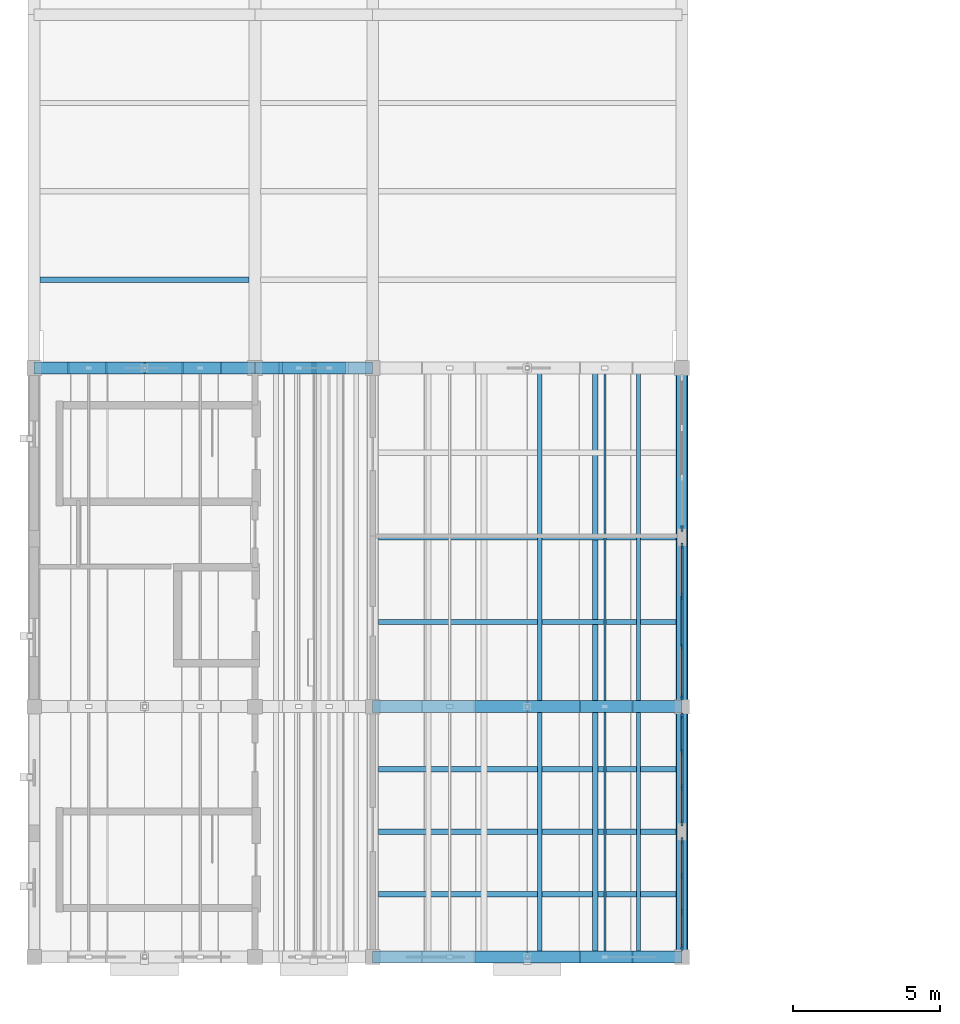
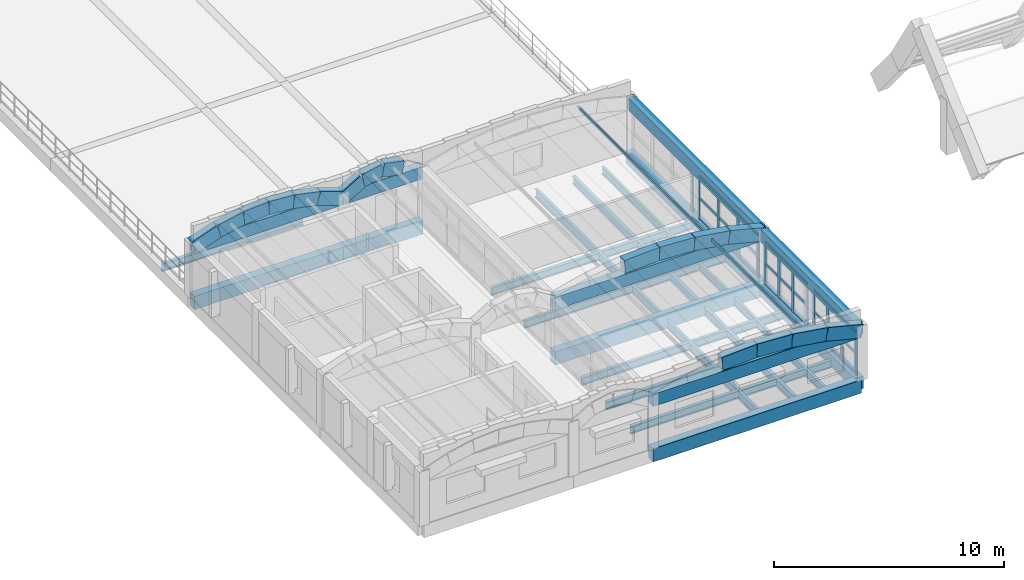
# One storey, part 4 of 40: 41 members, 24 beams, 4 elements without a shape of their own.
"""IFC4 building model written with IfcOpenShell, lengths in metres."""

from ifc_helpers import new_model, si_unit, direction, frame, origin, origin_2d, place, context, subcontext, project, spatial, rectangle, hollow_rectangle, i_section, extrude, material, layer, layer_set, material_profile, profile_set, type_object, element, aggregate, save


model = new_model("IFC4")

# Units and contexts
model_context = context("Model", 3, precision=1e-05, world=origin(), true_north=direction((0.0, 1.0)))
body_context = subcontext(model_context, "Body", "Model", "MODEL_VIEW")
ifc_project = project(units=[si_unit("LENGTHUNIT", "METRE"), si_unit("AREAUNIT", "SQUARE_METRE"), si_unit("VOLUMEUNIT", "CUBIC_METRE"), si_unit("PLANEANGLEUNIT", "RADIAN"), si_unit("MASSUNIT", "GRAM", prefix="KILO")], contexts=[model_context])

# Site, building, storey
site_placement = place(None, origin())
site = spatial("IfcSite", under=ifc_project, at=site_placement, CompositionType="ELEMENT")
building_placement = place(site_placement, origin())
building = spatial("IfcBuilding", under=site, at=building_placement, Name="Trellovar Central Fire Station", CompositionType="ELEMENT")
storey_placement = place(building_placement, frame((0.0, 0.0, 12.75)))
storey = spatial("IfcBuildingStorey", under=building, at=storey_placement, Name="L04", CompositionType="ELEMENT", Elevation=12.75)

# Beams
ifc_material_1 = material(Name="Concrete C40/50", Category="concrete")
ifc_material_profile_1 = material_profile(ifc_material_1, rectangle(XDim=0.39990234375, YDim=0.699951171875, at=origin_2d()), Name="RC400X700")
ifc_profile_set_1 = profile_set([ifc_material_profile_1], Name="Concrete C40/50")
beam_type_1 = type_object("IfcBeamType", Name="BM-G3", PredefinedType="BEAM", material=ifc_profile_set_1)
for number, where, z_axis, x_axis, name in (
    (1, (12.5, 9.0, -0.35009765625), (1.0, 0.0, 0.0), (0.0, 1.0, 0.0), "L04 beam G-3"),
    (2, (12.5, 17.5, -0.35009765625), (1.0, 0.0, 0.0), (0.0, 1.0, 0.0), "L04 beam G-3"),
):
    element("IfcBeam", number, at=place(storey_placement, frame(where, z_axis=z_axis, x_axis=x_axis)), inside=storey, type_object=beam_type_1, Name=name, PredefinedType="BEAM", context=body_context, shape_type="SweptSolid", body=[
        extrude(rectangle(XDim=0.39990234375, YDim=0.699951171875, at=origin_2d()), origin(), (0.0, 0.0, 1.0), 10.5),
    ])
beam_1_placement = place(storey_placement, frame((1.0, 29.0, -0.35009765625), z_axis=(1.0, 0.0, 0.0), x_axis=(0.0, 1.0, 0.0)))
element("IfcBeam", 3, at=beam_1_placement, inside=storey, type_object=beam_type_1, Name="L04 beam G-3", PredefinedType="BEAM", context=body_context, shape_type="SweptSolid", body=[
    extrude(rectangle(XDim=0.39990234375, YDim=0.699951171875, at=origin_2d()), origin(), (0.0, 0.0, 1.0), 7.5),
])
beam_2_placement = place(storey_placement, frame((8.5, 29.0, -0.35009765625), z_axis=(1.0, 0.0, 0.0), x_axis=(0.0, 1.0, 0.0)))
element("IfcBeam", 4, at=beam_2_placement, inside=storey, type_object=beam_type_1, Name="L04 beam G-3", PredefinedType="BEAM", context=body_context, shape_type="SweptSolid", body=[
    extrude(rectangle(XDim=0.39990234375, YDim=0.699951171875, at=origin_2d()), origin(), (0.0, 0.0, 1.0), 4.0),
])
ifc_material_2 = material(Name="Concrete C40/50", Category="concrete")
ifc_material_profile_2 = material_profile(ifc_material_2, rectangle(XDim=0.39990234375, YDim=0.64990234375, at=origin_2d()), Name="RC400X650")
ifc_profile_set_2 = profile_set([ifc_material_profile_2], Name="Concrete C40/50")
beam_type_2 = type_object("IfcBeamType", Name="BM-G4", PredefinedType="BEAM", material=ifc_profile_set_2)
beam_3_placement = place(storey_placement, frame((23.0, 9.0, -0.324951171875), z_axis=(0.0, 1.0, 0.0), x_axis=(-1.0, 0.0, 0.0)))
element("IfcBeam", 5, at=beam_3_placement, inside=storey, type_object=beam_type_2, Name="L04 beam G-4", PredefinedType="BEAM", context=body_context, shape_type="SweptSolid", body=[
    extrude(rectangle(XDim=0.39990234375, YDim=0.64990234375, at=origin_2d()), origin(), (0.0, 0.0, 1.0), 8.5),
])
beam_4_placement = place(storey_placement, frame((23.0, 17.5, -0.324951171875), z_axis=(0.0, 1.0, 0.0), x_axis=(-1.0, 0.0, 0.0)))
element("IfcBeam", 6, at=beam_4_placement, inside=storey, type_object=beam_type_2, Name="L04 beam G-4", PredefinedType="BEAM", context=body_context, shape_type="SweptSolid", body=[
    extrude(rectangle(XDim=0.39990234375, YDim=0.64990234375, at=origin_2d()), origin(), (0.0, 0.0, 1.0), 11.5),
])
for number, where, z_axis, x_axis, name in (
    (7, (12.5, 9.0, 2.574951171875), (1.0, 0.0, 0.0), (0.0, 1.0, 0.0), "L04 beam G-4"),
    (8, (12.5, 17.5, 2.574951171875), (1.0, 0.0, 0.0), (0.0, 1.0, 0.0), "L04 beam G-4"),
):
    element("IfcBeam", number, at=place(storey_placement, frame(where, z_axis=z_axis, x_axis=x_axis)), inside=storey, type_object=beam_type_2, Name=name, PredefinedType="BEAM", context=body_context, shape_type="SweptSolid", body=[
        extrude(rectangle(XDim=0.39990234375, YDim=0.64990234375, at=origin_2d()), origin(), (0.0, 0.0, 1.0), 10.5),
    ])
beam_5_placement = place(storey_placement, frame((1.0, 29.0, 2.574951171875), z_axis=(1.0, 0.0, 0.0), x_axis=(0.0, 1.0, 0.0)))
element("IfcBeam", 9, at=beam_5_placement, inside=storey, type_object=beam_type_2, Name="L04 beam G-4", PredefinedType="BEAM", context=body_context, shape_type="SweptSolid", body=[
    extrude(rectangle(XDim=0.39990234375, YDim=0.64990234375, at=origin_2d()), origin(), (0.0, 0.0, 1.0), 7.5),
])
beam_6_placement = place(storey_placement, frame((8.5, 29.0, 2.574951171875), z_axis=(1.0, 0.0, 0.0), x_axis=(0.0, 1.0, 0.0)))
element("IfcBeam", 10, at=beam_6_placement, inside=storey, type_object=beam_type_2, Name="L04 beam G-4", PredefinedType="BEAM", context=body_context, shape_type="SweptSolid", body=[
    extrude(rectangle(XDim=0.39990234375, YDim=0.64990234375, at=origin_2d()), origin(), (0.0, 0.0, 1.0), 4.0),
])
ifc_material_3 = material(Name="Concrete C40/50", Category="concrete")
ifc_material_profile_3 = material_profile(ifc_material_3, rectangle(XDim=0.35009765625, YDim=0.64990234375, at=origin_2d()), Name="RC350X650")
ifc_profile_set_3 = profile_set([ifc_material_profile_3], Name="Concrete C40/50")
beam_type_3 = type_object("IfcBeamType", Name="BM-G5", PredefinedType="BEAM", material=ifc_profile_set_3)
beam_7_placement = place(storey_placement, frame((23.0, 9.0, 2.574951171875), z_axis=(0.0, 1.0, 0.0), x_axis=(-1.0, 0.0, 0.0)))
element("IfcBeam", 11, at=beam_7_placement, inside=storey, type_object=beam_type_3, Name="L04 beam G-5", PredefinedType="BEAM", context=body_context, shape_type="SweptSolid", body=[
    extrude(rectangle(XDim=0.35009765625, YDim=0.64990234375, at=origin_2d()), origin(), (0.0, 0.0, 1.0), 8.5),
])
beam_8_placement = place(storey_placement, frame((23.0, 17.5, 2.574951171875), z_axis=(0.0, 1.0, 0.0), x_axis=(-1.0, 0.0, 0.0)))
element("IfcBeam", 12, at=beam_8_placement, inside=storey, type_object=beam_type_3, Name="L04 beam G-5", PredefinedType="BEAM", context=body_context, shape_type="SweptSolid", body=[
    extrude(rectangle(XDim=0.35009765625, YDim=0.64990234375, at=origin_2d()), origin(), (0.0, 0.0, 1.0), 11.5),
])
ifc_material_4 = material(Name="Steel ASTM A992 Grade 50", Category="steel")
ifc_material_profile_4 = material_profile(ifc_material_4, i_section(OverallWidth=0.15283203125, OverallDepth=0.45458984375, WebThickness=0.008056640625, FlangeThickness=0.01318359375, FilletRadius=0.0126953125, at=origin_2d()), Name="W18X40")
ifc_profile_set_4 = profile_set([ifc_material_profile_4], Name="Steel ASTM A992 Grade 50")
beam_type_4 = type_object("IfcBeamType", Name="BM-SW10", PredefinedType="JOIST", material=ifc_profile_set_4)
beam_9_placement = place(storey_placement, frame((18.169921875, 9.18994140625, -0.46728515625), z_axis=(0.0, 1.0, 0.0), x_axis=(-1.0, 0.0, 0.0)))
element("IfcBeam", 13, at=beam_9_placement, inside=storey, type_object=beam_type_4, Name="L04 secondary steel deck joist", PredefinedType="JOIST", context=body_context, shape_type="SweptSolid", body=[
    extrude(i_section(OverallWidth=0.15283203125, OverallDepth=0.45458984375, WebThickness=0.008056640625, FlangeThickness=0.01318359375, FilletRadius=0.0126953125, at=origin_2d()), origin(), (0.0, 0.0, 1.0), 8.1201171875),
])
beam_10_placement = place(storey_placement, frame((18.169921875, 17.68994140625, -0.46728515625), z_axis=(0.0, 1.0, 0.0), x_axis=(-1.0, 0.0, 0.0)))
element("IfcBeam", 14, at=beam_10_placement, inside=storey, type_object=beam_type_4, Name="L04 secondary steel deck joist", PredefinedType="JOIST", context=body_context, shape_type="SweptSolid", body=[
    extrude(i_section(OverallWidth=0.15283203125, OverallDepth=0.45458984375, WebThickness=0.008056640625, FlangeThickness=0.01318359375, FilletRadius=0.0126953125, at=origin_2d()), origin(), (0.0, 0.0, 1.0), 11.1201171875),
])
ifc_material_5 = material(Name="Steel ASTM A992 Grade 50", Category="steel")
ifc_material_profile_5 = material_profile(ifc_material_5, i_section(OverallWidth=0.177490234375, OverallDepth=0.40380859375, WebThickness=0.007568359375, FlangeThickness=0.010986328125, FilletRadius=0.011474609375, at=origin_2d()), Name="W16X36")
ifc_profile_set_5 = profile_set([ifc_material_profile_5], Name="Steel ASTM A992 Grade 50")
beam_type_5 = type_object("IfcBeamType", Name="BM-SW11", PredefinedType="JOIST", material=ifc_profile_set_5)
beam_11_placement = place(storey_placement, frame((1.195068359375, 32.0, -0.44189453125), z_axis=(1.0, 0.0, 0.0), x_axis=(0.0, 1.0, 0.0)))
element("IfcBeam", 15, at=beam_11_placement, inside=storey, type_object=beam_type_5, Name="L04 beam SB-11", PredefinedType="JOIST", context=body_context, shape_type="SweptSolid", body=[
    extrude(i_section(OverallWidth=0.177490234375, OverallDepth=0.40380859375, WebThickness=0.007568359375, FlangeThickness=0.010986328125, FilletRadius=0.011474609375, at=origin_2d()), origin(), (0.0, 0.0, 1.0), 7.10986328125),
])
for number, where, z_axis, x_axis, name in (
    (16, (12.695068359375, 11.125, -0.44189453125), (1.0, 0.0, 0.0), (0.0, 1.0, 0.0), "L04 beam SB-11"),
    (17, (12.695068359375, 13.25, -0.44189453125), (1.0, 0.0, 0.0), (0.0, 1.0, 0.0), "L04 beam SB-11"),
    (18, (12.695068359375, 15.375, -0.44189453125), (1.0, 0.0, 0.0), (0.0, 1.0, 0.0), "L04 beam SB-11"),
    (19, (12.695068359375, 20.375, -0.44189453125), (1.0, 0.0, 0.0), (0.0, 1.0, 0.0), "L04 beam SB-11"),
    (20, (12.695068359375, 23.25, -0.44189453125), (1.0, 0.0, 0.0), (0.0, 1.0, 0.0), "L04 beam SB-11"),
):
    element("IfcBeam", number, at=place(storey_placement, frame(where, z_axis=z_axis, x_axis=x_axis)), inside=storey, type_object=beam_type_5, Name=name, PredefinedType="JOIST", context=body_context, shape_type="SweptSolid", body=[
        extrude(i_section(OverallWidth=0.177490234375, OverallDepth=0.40380859375, WebThickness=0.007568359375, FlangeThickness=0.010986328125, FilletRadius=0.011474609375, at=origin_2d()), origin(), (0.0, 0.0, 1.0), 10.10986328125),
    ])
beam_12_placement = place(storey_placement, frame((20.06005859375, 9.18994140625, -0.44189453125), z_axis=(0.0, 1.0, 0.0), x_axis=(-1.0, 0.0, 0.0)))
element("IfcBeam", 21, at=beam_12_placement, inside=storey, type_object=beam_type_5, Name="L04 secondary steel deck joist", PredefinedType="JOIST", context=body_context, shape_type="SweptSolid", body=[
    extrude(i_section(OverallWidth=0.177490234375, OverallDepth=0.40380859375, WebThickness=0.007568359375, FlangeThickness=0.010986328125, FilletRadius=0.011474609375, at=origin_2d()), origin(), (0.0, 0.0, 1.0), 8.1201171875),
])
beam_13_placement = place(storey_placement, frame((20.06005859375, 17.68994140625, -0.44189453125), z_axis=(0.0, 1.0, 0.0), x_axis=(-1.0, 0.0, 0.0)))
element("IfcBeam", 22, at=beam_13_placement, inside=storey, type_object=beam_type_5, Name="L04 secondary steel deck joist", PredefinedType="JOIST", context=body_context, shape_type="SweptSolid", body=[
    extrude(i_section(OverallWidth=0.177490234375, OverallDepth=0.40380859375, WebThickness=0.007568359375, FlangeThickness=0.010986328125, FilletRadius=0.011474609375, at=origin_2d()), origin(), (0.0, 0.0, 1.0), 11.1201171875),
])
ifc_material_6 = material(Name="Steel ASTM A992 Grade 50", Category="steel")
ifc_material_profile_6 = material_profile(ifc_material_6, i_section(OverallWidth=0.140380859375, OverallDepth=0.4033203125, WebThickness=0.007080078125, FlangeThickness=0.01123046875, FilletRadius=0.011474609375, at=origin_2d()), Name="W16X31")
ifc_profile_set_6 = profile_set([ifc_material_profile_6], Name="Steel ASTM A992 Grade 50")
beam_type_6 = type_object("IfcBeamType", Name="BM-SW12", PredefinedType="JOIST", material=ifc_profile_set_6)
beam_14_placement = place(storey_placement, frame((21.530029296875, 9.18994140625, -0.441650390625), z_axis=(0.0, 1.0, 0.0), x_axis=(-1.0, 0.0, 0.0)))
element("IfcBeam", 23, at=beam_14_placement, inside=storey, type_object=beam_type_6, Name="L04 secondary steel deck joist", PredefinedType="JOIST", context=body_context, shape_type="SweptSolid", body=[
    extrude(i_section(OverallWidth=0.140380859375, OverallDepth=0.4033203125, WebThickness=0.007080078125, FlangeThickness=0.01123046875, FilletRadius=0.011474609375, at=origin_2d()), origin(), (0.0, 0.0, 1.0), 8.1201171875),
])
beam_15_placement = place(storey_placement, frame((21.530029296875, 17.68994140625, -0.441650390625), z_axis=(0.0, 1.0, 0.0), x_axis=(-1.0, 0.0, 0.0)))
element("IfcBeam", 24, at=beam_15_placement, inside=storey, type_object=beam_type_6, Name="L04 secondary steel deck joist", PredefinedType="JOIST", context=body_context, shape_type="SweptSolid", body=[
    extrude(i_section(OverallWidth=0.140380859375, OverallDepth=0.4033203125, WebThickness=0.007080078125, FlangeThickness=0.01123046875, FilletRadius=0.011474609375, at=origin_2d()), origin(), (0.0, 0.0, 1.0), 11.1201171875),
])

# Curtain wall, members
ifc_material_7 = material(Name="Thermally broken bronze anodized aluminum", Category="aluminium")
ifc_layer_1 = layer(ifc_material_7, 0.159912109375)
ifc_layer_set_1 = layer_set([ifc_layer_1], Name="Thermally broken bronze anodized aluminum")
curtain_wall_type_1 = type_object("IfcCurtainWallType", Name="CW-01", PredefinedType="NOTDEFINED", material=ifc_layer_set_1)
curtain_wall_1_placement = place(storey_placement, origin())
curtain_wall_1 = element("IfcCurtainWall", 25, at=curtain_wall_1_placement, inside=storey, type_object=curtain_wall_type_1, Name="L04 curtain wall CW-1", PredefinedType="NOTDEFINED")
ifc_material_8 = material(Name="Thermally broken bronze anodized aluminum", Category="aluminium")
ifc_material_profile_7 = material_profile(ifc_material_8, rectangle(XDim=0.074951171875, YDim=0.199951171875, at=origin_2d()), Name="ALU75X200")
ifc_profile_set_7 = profile_set([ifc_material_profile_7], Name="Thermally broken bronze anodized aluminum")
member_type_1 = type_object("IfcMemberType", Name="CWM-1", PredefinedType="MULLION", material=ifc_profile_set_7)
member_1_placement = place(storey_placement, frame((23.0, 9.324951171875, 0.0), z_axis=(0.0, 0.0, 1.0), x_axis=(1.0, 0.0, 0.0)))
member_1 = element("IfcMember", 26, at=member_1_placement, type_object=member_type_1, Name="CW3-L04-0053 mullion 1", PredefinedType="MULLION", context=body_context, shape_type="SweptSolid", body=[
    extrude(rectangle(XDim=0.074951171875, YDim=0.199951171875, at=origin_2d()), origin(), (0.0, 0.0, 1.0), 2.239990234375),
])
member_2_placement = place(storey_placement, frame((23.0, 10.533203125, 0.0), z_axis=(0.0, 0.0, 1.0), x_axis=(1.0, 0.0, 0.0)))
member_2 = element("IfcMember", 27, at=member_2_placement, type_object=member_type_1, Name="CW3-L04-0053 mullion 2", PredefinedType="MULLION", context=body_context, shape_type="SweptSolid", body=[
    extrude(rectangle(XDim=0.074951171875, YDim=0.199951171875, at=origin_2d()), origin(), (0.0, 0.0, 1.0), 2.239990234375),
])
member_3_placement = place(storey_placement, frame((23.0, 11.74169921875, 0.0), z_axis=(0.0, 0.0, 1.0), x_axis=(1.0, 0.0, 0.0)))
member_3 = element("IfcMember", 28, at=member_3_placement, type_object=member_type_1, Name="CW3-L04-0053 mullion 3", PredefinedType="MULLION", context=body_context, shape_type="SweptSolid", body=[
    extrude(rectangle(XDim=0.074951171875, YDim=0.199951171875, at=origin_2d()), origin(), (0.0, 0.0, 1.0), 2.239990234375),
])
member_4_placement = place(storey_placement, frame((23.0, 12.949951171875, 0.0), z_axis=(0.0, 0.0, 1.0), x_axis=(1.0, 0.0, 0.0)))
member_4 = element("IfcMember", 29, at=member_4_placement, type_object=member_type_1, Name="CW3-L04-0053 mullion 4", PredefinedType="MULLION", context=body_context, shape_type="SweptSolid", body=[
    extrude(rectangle(XDim=0.074951171875, YDim=0.199951171875, at=origin_2d()), origin(), (0.0, 0.0, 1.0), 2.239990234375),
])

curtain_wall_2_placement = place(storey_placement, origin())
curtain_wall_2 = element("IfcCurtainWall", 30, at=curtain_wall_2_placement, inside=storey, type_object=curtain_wall_type_1, Name="L04 curtain wall CW-1", PredefinedType="NOTDEFINED")
member_5_placement = place(storey_placement, frame((23.0, 13.550048828125, 0.0), z_axis=(0.0, 0.0, 1.0), x_axis=(1.0, 0.0, 0.0)))
member_5 = element("IfcMember", 31, at=member_5_placement, type_object=member_type_1, Name="CW3-L04-0054 mullion 1", PredefinedType="MULLION", context=body_context, shape_type="SweptSolid", body=[
    extrude(rectangle(XDim=0.074951171875, YDim=0.199951171875, at=origin_2d()), origin(), (0.0, 0.0, 1.0), 2.239990234375),
])
member_6_placement = place(storey_placement, frame((23.0, 14.75830078125, 0.0), z_axis=(0.0, 0.0, 1.0), x_axis=(1.0, 0.0, 0.0)))
member_6 = element("IfcMember", 32, at=member_6_placement, type_object=member_type_1, Name="CW3-L04-0054 mullion 2", PredefinedType="MULLION", context=body_context, shape_type="SweptSolid", body=[
    extrude(rectangle(XDim=0.074951171875, YDim=0.199951171875, at=origin_2d()), origin(), (0.0, 0.0, 1.0), 2.239990234375),
])
member_7_placement = place(storey_placement, frame((23.0, 15.966796875, 0.0), z_axis=(0.0, 0.0, 1.0), x_axis=(1.0, 0.0, 0.0)))
member_7 = element("IfcMember", 33, at=member_7_placement, type_object=member_type_1, Name="CW3-L04-0054 mullion 3", PredefinedType="MULLION", context=body_context, shape_type="SweptSolid", body=[
    extrude(rectangle(XDim=0.074951171875, YDim=0.199951171875, at=origin_2d()), origin(), (0.0, 0.0, 1.0), 2.239990234375),
])
member_8_placement = place(storey_placement, frame((23.0, 17.175048828125, 0.0), z_axis=(0.0, 0.0, 1.0), x_axis=(1.0, 0.0, 0.0)))
member_8 = element("IfcMember", 34, at=member_8_placement, type_object=member_type_1, Name="CW3-L04-0054 mullion 4", PredefinedType="MULLION", context=body_context, shape_type="SweptSolid", body=[
    extrude(rectangle(XDim=0.074951171875, YDim=0.199951171875, at=origin_2d()), origin(), (0.0, 0.0, 1.0), 2.239990234375),
])

ifc_material_9 = material(Name="Thermally broken bronze anodized aluminum", Category="aluminium")
ifc_layer_2 = layer(ifc_material_9, 0.159912109375)
ifc_layer_set_2 = layer_set([ifc_layer_2], Name="Thermally broken bronze anodized aluminum")
curtain_wall_type_2 = type_object("IfcCurtainWallType", Name="CW-02", PredefinedType="NOTDEFINED", material=ifc_layer_set_2)
curtain_wall_3_placement = place(storey_placement, origin())
curtain_wall_3 = element("IfcCurtainWall", 35, at=curtain_wall_3_placement, inside=storey, type_object=curtain_wall_type_2, Name="L04 curtain wall CW-2", PredefinedType="NOTDEFINED")
member_9_placement = place(storey_placement, frame((23.0, 17.824951171875, 0.0), z_axis=(0.0, 0.0, 1.0), x_axis=(1.0, 0.0, 0.0)))
member_9 = element("IfcMember", 36, at=member_9_placement, type_object=member_type_1, Name="CW3-L04-0055 mullion 1", PredefinedType="MULLION", context=body_context, shape_type="SweptSolid", body=[
    extrude(rectangle(XDim=0.074951171875, YDim=0.199951171875, at=origin_2d()), origin(), (0.0, 0.0, 1.0), 2.239990234375),
])
member_10_placement = place(storey_placement, frame((23.0, 19.533203125, 0.0), z_axis=(0.0, 0.0, 1.0), x_axis=(1.0, 0.0, 0.0)))
member_10 = element("IfcMember", 37, at=member_10_placement, type_object=member_type_1, Name="CW3-L04-0055 mullion 2", PredefinedType="MULLION", context=body_context, shape_type="SweptSolid", body=[
    extrude(rectangle(XDim=0.074951171875, YDim=0.199951171875, at=origin_2d()), origin(), (0.0, 0.0, 1.0), 2.239990234375),
])
member_11_placement = place(storey_placement, frame((23.0, 21.24169921875, 0.0), z_axis=(0.0, 0.0, 1.0), x_axis=(1.0, 0.0, 0.0)))
member_11 = element("IfcMember", 38, at=member_11_placement, type_object=member_type_1, Name="CW3-L04-0055 mullion 3", PredefinedType="MULLION", context=body_context, shape_type="SweptSolid", body=[
    extrude(rectangle(XDim=0.074951171875, YDim=0.199951171875, at=origin_2d()), origin(), (0.0, 0.0, 1.0), 2.239990234375),
])
member_12_placement = place(storey_placement, frame((23.0, 22.949951171875, 0.0), z_axis=(0.0, 0.0, 1.0), x_axis=(1.0, 0.0, 0.0)))
member_12 = element("IfcMember", 39, at=member_12_placement, type_object=member_type_1, Name="CW3-L04-0055 mullion 4", PredefinedType="MULLION", context=body_context, shape_type="SweptSolid", body=[
    extrude(rectangle(XDim=0.074951171875, YDim=0.199951171875, at=origin_2d()), origin(), (0.0, 0.0, 1.0), 2.239990234375),
])

# Curtain wall, member
curtain_wall_4_placement = place(storey_placement, origin())
curtain_wall_4 = element("IfcCurtainWall", 40, at=curtain_wall_4_placement, inside=storey, type_object=curtain_wall_type_2, Name="L04 curtain wall CW-2", PredefinedType="NOTDEFINED")
member_13_placement = place(storey_placement, frame((23.0, 23.550048828125, 0.0), z_axis=(0.0, 0.0, 1.0), x_axis=(1.0, 0.0, 0.0)))
member_13 = element("IfcMember", 41, at=member_13_placement, type_object=member_type_1, Name="CW3-L04-0056 mullion 1", PredefinedType="MULLION", context=body_context, shape_type="SweptSolid", body=[
    extrude(rectangle(XDim=0.074951171875, YDim=0.199951171875, at=origin_2d()), origin(), (0.0, 0.0, 1.0), 2.239990234375),
])
aggregate(curtain_wall_4, [member_13])

# Member
ifc_material_10 = material(Name="Thermally broken bronze anodized aluminum", Category="aluminium")
ifc_material_profile_8 = material_profile(ifc_material_10, rectangle(XDim=0.06005859375, YDim=0.139892578125, at=origin_2d()), Name="ALU60X140")
ifc_profile_set_8 = profile_set([ifc_material_profile_8], Name="Thermally broken bronze anodized aluminum")
member_type_2 = type_object("IfcMemberType", Name="CWT-1", PredefinedType="USERDEFINED", material=ifc_profile_set_8)
member_14_placement = place(storey_placement, frame((23.0, 9.324951171875, 0.0), z_axis=(0.0, 1.0, 0.0), x_axis=(-1.0, 0.0, 0.0)))
member_14 = element("IfcMember", 42, at=member_14_placement, type_object=member_type_2, Name="CW3-L04-0053 transom 1", ObjectType="TRANSOM", PredefinedType="USERDEFINED", context=body_context, shape_type="SweptSolid", body=[
    extrude(rectangle(XDim=0.06005859375, YDim=0.139892578125, at=origin_2d()), origin(), (0.0, 0.0, 1.0), 3.625),
])

member_15_placement = place(storey_placement, frame((23.0, 9.324951171875, 1.1201171875), z_axis=(0.0, 1.0, 0.0), x_axis=(-1.0, 0.0, 0.0)))
member_15 = element("IfcMember", 43, at=member_15_placement, type_object=member_type_2, Name="CW3-L04-0053 transom 2", ObjectType="TRANSOM", PredefinedType="USERDEFINED", context=body_context, shape_type="SweptSolid", body=[
    extrude(rectangle(XDim=0.06005859375, YDim=0.139892578125, at=origin_2d()), origin(), (0.0, 0.0, 1.0), 3.625),
])

member_16_placement = place(storey_placement, frame((23.0, 9.324951171875, 2.239990234375), z_axis=(0.0, 1.0, 0.0), x_axis=(-1.0, 0.0, 0.0)))
member_16 = element("IfcMember", 44, at=member_16_placement, type_object=member_type_2, Name="CW3-L04-0053 transom 3", ObjectType="TRANSOM", PredefinedType="USERDEFINED", context=body_context, shape_type="SweptSolid", body=[
    extrude(rectangle(XDim=0.06005859375, YDim=0.139892578125, at=origin_2d()), origin(), (0.0, 0.0, 1.0), 3.625),
])

aggregate(curtain_wall_1, [member_1, member_2, member_3, member_4, member_14, member_15, member_16])

member_17_placement = place(storey_placement, frame((23.0, 13.550048828125, 0.0), z_axis=(0.0, 1.0, 0.0), x_axis=(-1.0, 0.0, 0.0)))
member_17 = element("IfcMember", 45, at=member_17_placement, type_object=member_type_2, Name="CW3-L04-0054 transom 1", ObjectType="TRANSOM", PredefinedType="USERDEFINED", context=body_context, shape_type="SweptSolid", body=[
    extrude(rectangle(XDim=0.06005859375, YDim=0.139892578125, at=origin_2d()), origin(), (0.0, 0.0, 1.0), 3.625),
])

member_18_placement = place(storey_placement, frame((23.0, 13.550048828125, 1.1201171875), z_axis=(0.0, 1.0, 0.0), x_axis=(-1.0, 0.0, 0.0)))
member_18 = element("IfcMember", 46, at=member_18_placement, type_object=member_type_2, Name="CW3-L04-0054 transom 2", ObjectType="TRANSOM", PredefinedType="USERDEFINED", context=body_context, shape_type="SweptSolid", body=[
    extrude(rectangle(XDim=0.06005859375, YDim=0.139892578125, at=origin_2d()), origin(), (0.0, 0.0, 1.0), 3.625),
])

member_19_placement = place(storey_placement, frame((23.0, 13.550048828125, 2.239990234375), z_axis=(0.0, 1.0, 0.0), x_axis=(-1.0, 0.0, 0.0)))
member_19 = element("IfcMember", 47, at=member_19_placement, type_object=member_type_2, Name="CW3-L04-0054 transom 3", ObjectType="TRANSOM", PredefinedType="USERDEFINED", context=body_context, shape_type="SweptSolid", body=[
    extrude(rectangle(XDim=0.06005859375, YDim=0.139892578125, at=origin_2d()), origin(), (0.0, 0.0, 1.0), 3.625),
])

aggregate(curtain_wall_2, [member_5, member_6, member_7, member_8, member_17, member_18, member_19])

member_20_placement = place(storey_placement, frame((23.0, 17.824951171875, 0.0), z_axis=(0.0, 1.0, 0.0), x_axis=(-1.0, 0.0, 0.0)))
member_20 = element("IfcMember", 48, at=member_20_placement, type_object=member_type_2, Name="CW3-L04-0055 transom 1", ObjectType="TRANSOM", PredefinedType="USERDEFINED", context=body_context, shape_type="SweptSolid", body=[
    extrude(rectangle(XDim=0.06005859375, YDim=0.139892578125, at=origin_2d()), origin(), (0.0, 0.0, 1.0), 5.125),
])

member_21_placement = place(storey_placement, frame((23.0, 17.824951171875, 1.1201171875), z_axis=(0.0, 1.0, 0.0), x_axis=(-1.0, 0.0, 0.0)))
member_21 = element("IfcMember", 49, at=member_21_placement, type_object=member_type_2, Name="CW3-L04-0055 transom 2", ObjectType="TRANSOM", PredefinedType="USERDEFINED", context=body_context, shape_type="SweptSolid", body=[
    extrude(rectangle(XDim=0.06005859375, YDim=0.139892578125, at=origin_2d()), origin(), (0.0, 0.0, 1.0), 5.125),
])

member_22_placement = place(storey_placement, frame((23.0, 17.824951171875, 2.239990234375), z_axis=(0.0, 1.0, 0.0), x_axis=(-1.0, 0.0, 0.0)))
member_22 = element("IfcMember", 50, at=member_22_placement, type_object=member_type_2, Name="CW3-L04-0055 transom 3", ObjectType="TRANSOM", PredefinedType="USERDEFINED", context=body_context, shape_type="SweptSolid", body=[
    extrude(rectangle(XDim=0.06005859375, YDim=0.139892578125, at=origin_2d()), origin(), (0.0, 0.0, 1.0), 5.125),
])

aggregate(curtain_wall_3, [member_9, member_10, member_11, member_12, member_20, member_21, member_22])

# Members
ifc_material_11 = material(Name="Concrete C40/50", Category="concrete")
ifc_material_profile_9 = material_profile(ifc_material_11, rectangle(XDim=0.39990234375, YDim=0.699951171875, at=origin_2d()), Name="RC400X700")
ifc_profile_set_9 = profile_set([ifc_material_profile_9], Name="Concrete C40/50")
member_type_3 = type_object("IfcMemberType", Name="MEM-LR1", PredefinedType="CHORD", material=ifc_profile_set_9)
member_23_placement = place(storey_placement, frame((1.0, 29.0, 2.580078125), z_axis=(0.942240505119, 0.0, 0.334937054554), x_axis=(0.0, 1.0, 0.0)))
element("IfcMember", 51, at=member_23_placement, inside=storey, type_object=member_type_3, Name="V4 Catalan vault rib 1 chord 1", PredefinedType="CHORD", context=body_context, shape_type="SweptSolid", body=[
    extrude(rectangle(XDim=0.39990234375, YDim=0.699951171875, at=origin_2d()), origin(), (0.0, 0.0, 1.0), 1.32666015625),
])
member_24_placement = place(storey_placement, frame((2.25, 29.0, 3.0244140625), z_axis=(0.978003228886, 0.0, 0.208589751161), x_axis=(0.0, 1.0, 0.0)))
element("IfcMember", 52, at=member_24_placement, inside=storey, type_object=member_type_3, Name="V4 Catalan vault rib 1 chord 2", PredefinedType="CHORD", context=body_context, shape_type="SweptSolid", body=[
    extrude(rectangle(XDim=0.39990234375, YDim=0.699951171875, at=origin_2d()), origin(), (0.0, 0.0, 1.0), 1.278076171875),
])
for number, where, z_axis, x_axis, name in (
    (53, (3.5, 29.0, 3.291015625), (0.997482378995, 0.0, 0.070914762882), (0.0, 1.0, 0.0), "V4 Catalan vault rib 1 chord 3"),
    (54, (4.75, 29.0, 3.3798828125), (0.997482378995, 0.0, -0.070914762882), (0.0, 1.0, 0.0), "V4 Catalan vault rib 1 chord 4"),
):
    element("IfcMember", number, at=place(storey_placement, frame(where, z_axis=z_axis, x_axis=x_axis)), inside=storey, type_object=member_type_3, Name=name, PredefinedType="CHORD", context=body_context, shape_type="SweptSolid", body=[
        extrude(rectangle(XDim=0.39990234375, YDim=0.699951171875, at=origin_2d()), origin(), (0.0, 0.0, 1.0), 1.253173828125),
    ])
member_25_placement = place(storey_placement, frame((6.0, 29.0, 3.291015625), z_axis=(0.978003228886, 0.0, -0.208589751161), x_axis=(0.0, 1.0, 0.0)))
element("IfcMember", 55, at=member_25_placement, inside=storey, type_object=member_type_3, Name="V4 Catalan vault rib 1 chord 5", PredefinedType="CHORD", context=body_context, shape_type="SweptSolid", body=[
    extrude(rectangle(XDim=0.39990234375, YDim=0.699951171875, at=origin_2d()), origin(), (0.0, 0.0, 1.0), 1.278076171875),
])
member_26_placement = place(storey_placement, frame((7.25, 29.0, 3.0244140625), z_axis=(0.942240505119, 0.0, -0.334937054554), x_axis=(0.0, 1.0, 0.0)))
element("IfcMember", 56, at=member_26_placement, inside=storey, type_object=member_type_3, Name="V4 Catalan vault rib 1 chord 6", PredefinedType="CHORD", context=body_context, shape_type="SweptSolid", body=[
    extrude(rectangle(XDim=0.39990234375, YDim=0.699951171875, at=origin_2d()), origin(), (0.0, 0.0, 1.0), 1.32666015625),
])
member_27_placement = place(storey_placement, frame((8.5, 29.0, 2.580078125), z_axis=(0.857548340193, 0.0, 0.514403386683), x_axis=(0.0, 1.0, 0.0)))
element("IfcMember", 57, at=member_27_placement, inside=storey, type_object=member_type_3, Name="V4 Catalan vault rib 2 chord 1", PredefinedType="CHORD", context=body_context, shape_type="SweptSolid", body=[
    extrude(rectangle(XDim=0.39990234375, YDim=0.699951171875, at=origin_2d()), origin(), (0.0, 0.0, 1.0), 1.166015625),
])
for number, where, z_axis, x_axis, name in (
    (58, (9.5, 29.0, 3.179931640625), (0.980589882373, 0.0, 0.196070096109), (0.0, 1.0, 0.0), "V4 Catalan vault rib 2 chord 2"),
    (59, (10.5, 29.0, 3.3798828125), (0.980589882373, 0.0, -0.196070096109), (0.0, 1.0, 0.0), "V4 Catalan vault rib 2 chord 3"),
):
    element("IfcMember", number, at=place(storey_placement, frame(where, z_axis=z_axis, x_axis=x_axis)), inside=storey, type_object=member_type_3, Name=name, PredefinedType="CHORD", context=body_context, shape_type="SweptSolid", body=[
        extrude(rectangle(XDim=0.39990234375, YDim=0.699951171875, at=origin_2d()), origin(), (0.0, 0.0, 1.0), 1.019775390625),
    ])
for number, where, z_axis, x_axis, name in (
    (60, (16.0, 9.0, 3.291015625), (0.998713120681, 0.0, 0.05071590066), (0.0, 1.0, 0.0), "V4 Catalan vault rib 3 chord 3"),
    (61, (17.75, 9.0, 3.3798828125), (0.998713120681, 0.0, -0.05071590066), (0.0, 1.0, 0.0), "V4 Catalan vault rib 3 chord 4"),
):
    element("IfcMember", number, at=place(storey_placement, frame(where, z_axis=z_axis, x_axis=x_axis)), inside=storey, type_object=member_type_3, Name=name, PredefinedType="CHORD", context=body_context, shape_type="SweptSolid", body=[
        extrude(rectangle(XDim=0.39990234375, YDim=0.699951171875, at=origin_2d()), origin(), (0.0, 0.0, 1.0), 1.752197265625),
    ])
member_28_placement = place(storey_placement, frame((19.5, 9.0, 3.291015625), z_axis=(0.988593852022, 0.0, -0.150606094644), x_axis=(0.0, 1.0, 0.0)))
element("IfcMember", 62, at=member_28_placement, inside=storey, type_object=member_type_3, Name="V4 Catalan vault rib 3 chord 5", PredefinedType="CHORD", context=body_context, shape_type="SweptSolid", body=[
    extrude(rectangle(XDim=0.39990234375, YDim=0.699951171875, at=origin_2d()), origin(), (0.0, 0.0, 1.0), 1.770263671875),
])
member_29_placement = place(storey_placement, frame((21.25, 9.0, 3.0244140625), z_axis=(0.969245105532, 0.0, -0.246097390076), x_axis=(0.0, 1.0, 0.0)))
element("IfcMember", 63, at=member_29_placement, inside=storey, type_object=member_type_3, Name="V4 Catalan vault rib 3 chord 6", PredefinedType="CHORD", context=body_context, shape_type="SweptSolid", body=[
    extrude(rectangle(XDim=0.39990234375, YDim=0.699951171875, at=origin_2d()), origin(), (0.0, 0.0, 1.0), 1.805419921875),
])
for number, where, z_axis, x_axis, name in (
    (64, (16.0, 17.5, 3.291015625), (0.998713120681, 0.0, 0.05071590066), (0.0, 1.0, 0.0), "V4 Catalan vault rib 3 chord 3"),
    (65, (17.75, 17.5, 3.3798828125), (0.998713120681, 0.0, -0.05071590066), (0.0, 1.0, 0.0), "V4 Catalan vault rib 3 chord 4"),
):
    element("IfcMember", number, at=place(storey_placement, frame(where, z_axis=z_axis, x_axis=x_axis)), inside=storey, type_object=member_type_3, Name=name, PredefinedType="CHORD", context=body_context, shape_type="SweptSolid", body=[
        extrude(rectangle(XDim=0.39990234375, YDim=0.699951171875, at=origin_2d()), origin(), (0.0, 0.0, 1.0), 1.752197265625),
    ])
member_30_placement = place(storey_placement, frame((19.5, 17.5, 3.291015625), z_axis=(0.988593852022, 0.0, -0.150606094644), x_axis=(0.0, 1.0, 0.0)))
element("IfcMember", 66, at=member_30_placement, inside=storey, type_object=member_type_3, Name="V4 Catalan vault rib 3 chord 5", PredefinedType="CHORD", context=body_context, shape_type="SweptSolid", body=[
    extrude(rectangle(XDim=0.39990234375, YDim=0.699951171875, at=origin_2d()), origin(), (0.0, 0.0, 1.0), 1.770263671875),
])
member_31_placement = place(storey_placement, frame((21.25, 17.5, 3.0244140625), z_axis=(0.969245105532, 0.0, -0.246097390076), x_axis=(0.0, 1.0, 0.0)))
element("IfcMember", 67, at=member_31_placement, inside=storey, type_object=member_type_3, Name="V4 Catalan vault rib 3 chord 6", PredefinedType="CHORD", context=body_context, shape_type="SweptSolid", body=[
    extrude(rectangle(XDim=0.39990234375, YDim=0.699951171875, at=origin_2d()), origin(), (0.0, 0.0, 1.0), 1.805419921875),
])
ifc_material_12 = material(Name="Steel ASTM A500 Grade C", Category="steel")
ifc_material_profile_10 = material_profile(ifc_material_12, hollow_rectangle(XDim=0.076171875, YDim=0.15234375, WallThickness=0.005859375, InnerFilletRadius=0.005859375, OuterFilletRadius=0.01171875, at=origin_2d()), Name="HSS6X3X1/4")
ifc_profile_set_10 = profile_set([ifc_material_profile_10], Name="Steel ASTM A500 Grade C")
member_type_4 = type_object("IfcMemberType", Name="MEM-PU2", PredefinedType="PURLIN", material=ifc_profile_set_10)
member_32_placement = place(storey_placement, frame((20.3876953125, 9.0, 3.19580078125), z_axis=(0.0, 1.0, 0.0), x_axis=(-1.0, 0.0, 0.0)))
element("IfcMember", 68, at=member_32_placement, inside=storey, type_object=member_type_4, Name="V4 vault purlin 3-5", PredefinedType="PURLIN", context=body_context, shape_type="SweptSolid", body=[
    extrude(hollow_rectangle(XDim=0.076171875, YDim=0.15234375, WallThickness=0.005859375, InnerFilletRadius=0.005859375, OuterFilletRadius=0.01171875, at=origin_2d()), origin(), (0.0, 0.0, 1.0), 8.5),
])
member_33_placement = place(storey_placement, frame((20.3876953125, 17.5, 3.19580078125), z_axis=(0.0, 1.0, 0.0), x_axis=(-1.0, 0.0, 0.0)))
element("IfcMember", 69, at=member_33_placement, inside=storey, type_object=member_type_4, Name="V4 vault purlin 3-5", PredefinedType="PURLIN", context=body_context, shape_type="SweptSolid", body=[
    extrude(hollow_rectangle(XDim=0.076171875, YDim=0.15234375, WallThickness=0.005859375, InnerFilletRadius=0.005859375, OuterFilletRadius=0.01171875, at=origin_2d()), origin(), (0.0, 0.0, 1.0), 11.5),
])

save(model, "model.ifc")
